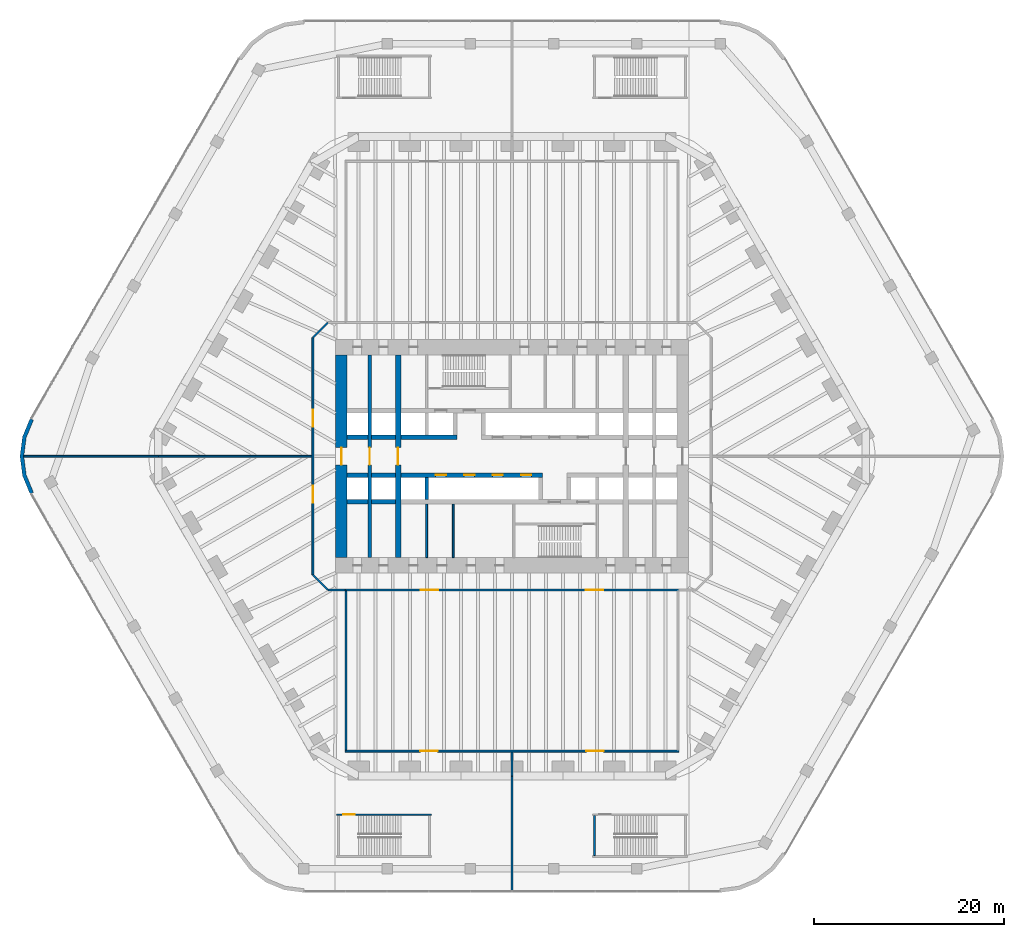
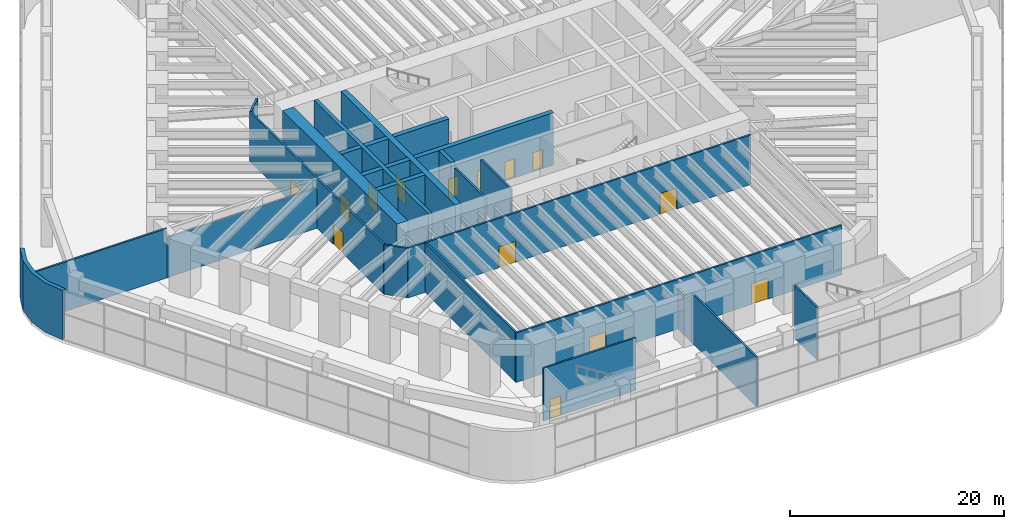
# One storey, part 26 of 31: 28 walls, 14 doors, 14 openings.
"""IFC4 building model written with IfcOpenShell, lengths in metres."""

from ifc_helpers import new_model, si_unit, direction, frame, frame_2d, origin, place, context, subcontext, project, spatial, polyline, rectangle, outline, extrude, material, layer, layer_set, type_object, element, fill, save


model = new_model("IFC4")

# Units and contexts
model_context = context("Model", 3, precision=1e-05, world=origin(), true_north=direction((0.0, 1.0)))
body_context = subcontext(model_context, "Body", "Model", "MODEL_VIEW")
ifc_project = project(units=[si_unit("LENGTHUNIT", "METRE"), si_unit("AREAUNIT", "SQUARE_METRE"), si_unit("VOLUMEUNIT", "CUBIC_METRE"), si_unit("PLANEANGLEUNIT", "RADIAN"), si_unit("MASSUNIT", "GRAM", prefix="KILO")], contexts=[model_context])

# Site, building, storey
site_placement = place(None, origin())
site = spatial("IfcSite", under=ifc_project, at=site_placement, CompositionType="ELEMENT")
building_placement = place(site_placement, origin())
building = spatial("IfcBuilding", under=site, at=building_placement, Name="Tarfa Lantern Tower", CompositionType="ELEMENT")
storey_placement = place(building_placement, frame((0.0, 0.0, 7.0)))
storey = spatial("IfcBuildingStorey", under=building, at=storey_placement, Name="L01", CompositionType="ELEMENT", Elevation=7.0)

# Walls
ifc_material_1 = material(Name="Limestone cladding on blockwork", Category="masonry")
ifc_layer_1 = layer(ifc_material_1, 0.39990234375)
ifc_layer_set_1 = layer_set([ifc_layer_1], Name="EW2 CURVED STONE CORNER 400")
wall_type_1 = type_object("IfcWallType", Name="EW2 CURVED STONE CORNER 400", PredefinedType="SOLIDWALL", material=ifc_layer_set_1)
wall_1_placement = place(storey_placement, origin())
element("IfcWall", 1, at=wall_1_placement, inside=storey, type_object=wall_type_1, Name="Stone corner NW-SW", PredefinedType="SOLIDWALL", context=body_context, shape_type="SweptSolid", body=[
    extrude(outline(polyline([(-50.806884765625, 4.0), (-51.60595703125, 2.070556640625), (-51.878662109375, 0.0), (-51.60595703125, -2.070556640625), (-50.806884765625, -4.0), (-50.46044921875, -3.800048828125), (-51.2197265625, -1.967041015625), (-51.478515625, 0.0), (-51.2197265625, 1.967041015625), (-50.46044921875, 3.800048828125), (-50.806884765625, 4.0)])), origin(), (0.0, 0.0, 1.0), 5.64990234375),
])
ifc_material_2 = material(Name="Concrete blockwork", Category="masonry")
ifc_layer_2 = layer(ifc_material_2, 0.199951171875)
ifc_layer_set_2 = layer_set([ifc_layer_2], Name="IW1 BLOCKWORK PARTITION 200 EI 120")
wall_type_2 = type_object("IfcWallType", Name="IW1 BLOCKWORK PARTITION 200 EI 120", PredefinedType="PARTITIONING", material=ifc_layer_set_2)
for number, where, z_axis, x_axis, name in (
    (2, (-9.0, -5.050048828125, 0.0), (0.0, 0.0, 1.0), (0.0, -1.0, 0.0), "Core partition"),
    (3, (-6.199951171875, -5.050048828125, 0.0), (0.0, 0.0, 1.0), (0.0, -1.0, 0.0), "Core partition"),
):
    element("IfcWall", number, at=place(storey_placement, frame(where, z_axis=z_axis, x_axis=x_axis)), inside=storey, type_object=wall_type_2, Name=name, PredefinedType="PARTITIONING", context=body_context, shape_type="SweptSolid", body=[
        extrude(rectangle(XDim=5.64990234375, YDim=0.199951171875, at=frame_2d((2.824951171875, 0.0))), origin(), (0.0, 0.0, 1.0), 5.64990234375),
    ])

# Wall, openings, doors
ifc_material_3 = material(Name="Gypsum board on steel studs", Category="steel")
ifc_layer_3 = layer(ifc_material_3, 0.2099609375)
ifc_layer_set_3 = layer_set([ifc_layer_3], Name="IW2 ACOUSTIC PARTITION 200")
wall_type_3 = type_object("IfcWallType", Name="IW2 ACOUSTIC PARTITION 200", PredefinedType="PARTITIONING", material=ifc_layer_set_3)
wall_2_placement = place(storey_placement, frame((17.60009765625, -14.10009765625, 0.0), z_axis=(0.0, 0.0, 1.0), x_axis=(-1.0, 0.0, 0.0)))
wall_2 = element("IfcWall", 4, at=wall_2_placement, inside=storey, type_object=wall_type_3, Name="Partition", PredefinedType="PARTITIONING", context=body_context, shape_type="SweptSolid", body=[
    extrude(rectangle(XDim=35.2001953125, YDim=0.199951171875, at=frame_2d((17.60009765625, 0.0))), origin(), (0.0, 0.0, 1.0), 5.64990234375),
])
opening_1_placement = place(wall_2_placement, frame((25.39990234375, 0.0, 0.0)))
opening_1 = element("IfcOpeningElement", 5, at=opening_1_placement, cuts=wall_2, Name="Opening D35", PredefinedType="OPENING", context=body_context, shape_type="SweptSolid", body=[
    extrude(rectangle(XDim=1.800048828125, YDim=2.39990234375, at=frame_2d((0.89990234375, 1.199951171875))), frame((0.0, 0.10986328125, 0.0), z_axis=(0.0, -1.0, 0.0), x_axis=(1.0, 0.0, 0.0)), (0.0, 0.0, 1.0), 0.219970703125),
])
opening_2_placement = place(wall_2_placement, frame((8.0, 0.0, 0.0)))
opening_2 = element("IfcOpeningElement", 6, at=opening_2_placement, cuts=wall_2, Name="Opening D36", PredefinedType="OPENING", context=body_context, shape_type="SweptSolid", body=[
    extrude(rectangle(XDim=1.800048828125, YDim=2.39990234375, at=frame_2d((0.89990234375, 1.199951171875))), frame((0.0, 0.10986328125, 0.0), z_axis=(0.0, -1.0, 0.0), x_axis=(1.0, 0.0, 0.0)), (0.0, 0.0, 1.0), 0.219970703125),
])
ifc_material_4 = material(Name="Timber door", Category="wood")
door_type_1 = type_object("IfcDoorType", Name="DR2 ROOM DOOR 1800x2400", OperationType="DOUBLE_DOOR_SINGLE_SWING", PredefinedType="DOOR", material=ifc_material_4)
door_1_placement = place(opening_1_placement, origin())
door_1 = element("IfcDoor", 7, at=door_1_placement, inside=storey, type_object=door_type_1, Name="Staff restaurant door", OperationType="DOUBLE_DOOR_SINGLE_SWING", OverallHeight=2.39990234375, OverallWidth=1.800048828125, PredefinedType="DOOR", context=body_context, shape_type="SweptSolid", body=[
    extrude(rectangle(XDim=1.800048828125, YDim=2.39990234375, at=frame_2d((0.89990234375, 1.199951171875))), frame((0.0, 0.02490234375, 0.0), z_axis=(0.0, -1.0, 0.0), x_axis=(1.0, 0.0, 0.0)), (0.0, 0.0, 1.0), 0.050048828125),
])
fill(opening_1, door_1)
door_2_placement = place(opening_2_placement, origin())
door_2 = element("IfcDoor", 8, at=door_2_placement, inside=storey, type_object=door_type_1, Name="Staff restaurant door", OperationType="DOUBLE_DOOR_SINGLE_SWING", OverallHeight=2.39990234375, OverallWidth=1.800048828125, PredefinedType="DOOR", context=body_context, shape_type="SweptSolid", body=[
    extrude(rectangle(XDim=1.800048828125, YDim=2.39990234375, at=frame_2d((0.89990234375, 1.199951171875))), frame((0.0, 0.02490234375, 0.0), z_axis=(0.0, -1.0, 0.0), x_axis=(1.0, 0.0, 0.0)), (0.0, 0.0, 1.0), 0.050048828125),
])
fill(opening_2, door_2)

# Wall
wall_3_placement = place(storey_placement, frame((-17.5, -14.199951171875, 0.0), z_axis=(0.0, 0.0, 1.0), x_axis=(0.0, -1.0, 0.0)))
element("IfcWall", 9, at=wall_3_placement, inside=storey, type_object=wall_type_3, Name="Partition", PredefinedType="PARTITIONING", context=body_context, shape_type="SweptSolid", body=[
    extrude(rectangle(XDim=16.800048828125, YDim=0.199951171875, at=frame_2d((8.39990234375, 0.0))), origin(), (0.0, 0.0, 1.0), 5.64990234375),
])

# Wall, openings, doors
wall_4_placement = place(storey_placement, frame((17.60009765625, -31.10009765625, 0.0), z_axis=(0.0, 0.0, 1.0), x_axis=(-1.0, 0.0, 0.0)))
wall_4 = element("IfcWall", 10, at=wall_4_placement, inside=storey, type_object=wall_type_3, Name="Partition", PredefinedType="PARTITIONING", context=body_context, shape_type="SweptSolid", body=[
    extrude(rectangle(XDim=35.2001953125, YDim=0.199951171875, at=frame_2d((17.60009765625, 0.0))), origin(), (0.0, 0.0, 1.0), 5.64990234375),
])
opening_3_placement = place(wall_4_placement, frame((7.949951171875, 0.0, 0.0)))
opening_3 = element("IfcOpeningElement", 11, at=opening_3_placement, cuts=wall_4, Name="Opening D39", PredefinedType="OPENING", context=body_context, shape_type="SweptSolid", body=[
    extrude(rectangle(XDim=1.800048828125, YDim=2.39990234375, at=frame_2d((0.89990234375, 1.199951171875))), frame((0.0, 0.10986328125, 0.0), z_axis=(0.0, -1.0, 0.0), x_axis=(1.0, 0.0, 0.0)), (0.0, 0.0, 1.0), 0.219970703125),
])
opening_4_placement = place(wall_4_placement, frame((25.449951171875, 0.0, 0.0)))
opening_4 = element("IfcOpeningElement", 12, at=opening_4_placement, cuts=wall_4, Name="Opening D40", PredefinedType="OPENING", context=body_context, shape_type="SweptSolid", body=[
    extrude(rectangle(XDim=1.800048828125, YDim=2.39990234375, at=frame_2d((0.89990234375, 1.199951171875))), frame((0.0, 0.10986328125, 0.0), z_axis=(0.0, -1.0, 0.0), x_axis=(1.0, 0.0, 0.0)), (0.0, 0.0, 1.0), 0.219970703125),
])
door_3_placement = place(opening_3_placement, frame((1.800048828125, 0.0, 0.0), z_axis=(0.0, 0.0, 1.0), x_axis=(-1.0, 0.0, 0.0)))
door_3 = element("IfcDoor", 13, at=door_3_placement, inside=storey, type_object=door_type_1, Name="Staff restaurant door", OperationType="DOUBLE_DOOR_SINGLE_SWING", OverallHeight=2.39990234375, OverallWidth=1.800048828125, PredefinedType="DOOR", context=body_context, shape_type="SweptSolid", body=[
    extrude(rectangle(XDim=1.800048828125, YDim=2.39990234375, at=frame_2d((0.89990234375, 1.199951171875))), frame((0.0, 0.02490234375, 0.0), z_axis=(0.0, -1.0, 0.0), x_axis=(1.0, 0.0, 0.0)), (0.0, 0.0, 1.0), 0.050048828125),
])
fill(opening_3, door_3)
door_4_placement = place(opening_4_placement, frame((1.800048828125, 0.0, 0.0), z_axis=(0.0, 0.0, 1.0), x_axis=(-1.0, 0.0, 0.0)))
door_4 = element("IfcDoor", 14, at=door_4_placement, inside=storey, type_object=door_type_1, Name="Staff restaurant door", OperationType="DOUBLE_DOOR_SINGLE_SWING", OverallHeight=2.39990234375, OverallWidth=1.800048828125, PredefinedType="DOOR", context=body_context, shape_type="SweptSolid", body=[
    extrude(rectangle(XDim=1.800048828125, YDim=2.39990234375, at=frame_2d((0.89990234375, 1.199951171875))), frame((0.0, 0.02490234375, 0.0), z_axis=(0.0, -1.0, 0.0), x_axis=(1.0, 0.0, 0.0)), (0.0, 0.0, 1.0), 0.050048828125),
])
fill(opening_4, door_4)

# Walls
wall_5_placement = place(storey_placement, frame((-17.60009765625, -14.10009765625, 0.0), z_axis=(0.0, 0.0, 1.0), x_axis=(-1.0, 0.0, 0.0)))
element("IfcWall", 15, at=wall_5_placement, inside=storey, type_object=wall_type_3, Name="Partition", PredefinedType="PARTITIONING", context=body_context, shape_type="SweptSolid", body=[
    extrude(rectangle(XDim=1.7998046875, YDim=0.199951171875, at=frame_2d((0.89990234375, 0.0))), origin(), (0.0, 0.0, 1.0), 5.64990234375),
])
wall_6_placement = place(storey_placement, frame((-19.39990234375, -14.10009765625, 0.0), z_axis=(0.0, 0.0, 1.0), x_axis=(-0.707106781187, 0.707106781187, 0.0)))
element("IfcWall", 16, at=wall_6_placement, inside=storey, type_object=wall_type_3, Name="Partition", PredefinedType="PARTITIONING", context=body_context, shape_type="SweptSolid", body=[
    extrude(rectangle(XDim=2.262939453125, YDim=0.199951171875, at=frame_2d((1.13134765625, 0.0))), origin(), (0.0, 0.0, 1.0), 5.64990234375),
])

# Wall, openings, doors
wall_7_placement = place(storey_placement, frame((-21.0, -12.5, 0.0), z_axis=(0.0, 0.0, 1.0), x_axis=(0.0, 1.0, 0.0)))
wall_7 = element("IfcWall", 17, at=wall_7_placement, inside=storey, type_object=wall_type_3, Name="Partition", PredefinedType="PARTITIONING", context=body_context, shape_type="SweptSolid", body=[
    extrude(rectangle(XDim=25.0, YDim=0.199951171875, at=frame_2d((12.5, 0.0))), origin(), (0.0, 0.0, 1.0), 5.64990234375),
])
opening_5_placement = place(wall_7_placement, frame((15.60009765625, 0.0, 0.0)))
opening_5 = element("IfcOpeningElement", 18, at=opening_5_placement, cuts=wall_7, Name="Opening D42", PredefinedType="OPENING", context=body_context, shape_type="SweptSolid", body=[
    extrude(rectangle(XDim=1.800048828125, YDim=2.39990234375, at=frame_2d((0.89990234375, 1.199951171875))), frame((0.0, 0.10986328125, 0.0), z_axis=(0.0, -1.0, 0.0), x_axis=(1.0, 0.0, 0.0)), (0.0, 0.0, 1.0), 0.219970703125),
])
opening_6_placement = place(wall_7_placement, frame((7.60009765625, 0.0, 0.0)))
opening_6 = element("IfcOpeningElement", 19, at=opening_6_placement, cuts=wall_7, Name="Opening D44", PredefinedType="OPENING", context=body_context, shape_type="SweptSolid", body=[
    extrude(rectangle(XDim=1.800048828125, YDim=2.39990234375, at=frame_2d((0.89990234375, 1.199951171875))), frame((0.0, 0.10986328125, 0.0), z_axis=(0.0, -1.0, 0.0), x_axis=(1.0, 0.0, 0.0)), (0.0, 0.0, 1.0), 0.219970703125),
])
door_5_placement = place(opening_5_placement, origin())
door_5 = element("IfcDoor", 20, at=door_5_placement, inside=storey, type_object=door_type_1, Name="Staff services workplace door", OperationType="DOUBLE_DOOR_SINGLE_SWING", OverallHeight=2.39990234375, OverallWidth=1.800048828125, PredefinedType="DOOR", context=body_context, shape_type="SweptSolid", body=[
    extrude(rectangle(XDim=1.800048828125, YDim=2.39990234375, at=frame_2d((0.89990234375, 1.199951171875))), frame((0.0, 0.02490234375, 0.0), z_axis=(0.0, -1.0, 0.0), x_axis=(1.0, 0.0, 0.0)), (0.0, 0.0, 1.0), 0.050048828125),
])
fill(opening_5, door_5)
door_6_placement = place(opening_6_placement, origin())
door_6 = element("IfcDoor", 21, at=door_6_placement, inside=storey, type_object=door_type_1, Name="Staff services workplace door", OperationType="DOUBLE_DOOR_SINGLE_SWING", OverallHeight=2.39990234375, OverallWidth=1.800048828125, PredefinedType="DOOR", context=body_context, shape_type="SweptSolid", body=[
    extrude(rectangle(XDim=1.800048828125, YDim=2.39990234375, at=frame_2d((0.89990234375, 1.199951171875))), frame((0.0, 0.02490234375, 0.0), z_axis=(0.0, -1.0, 0.0), x_axis=(1.0, 0.0, 0.0)), (0.0, 0.0, 1.0), 0.050048828125),
])
fill(opening_6, door_6)

# Walls
wall_8_placement = place(storey_placement, frame((-21.0, 12.5, 0.0), z_axis=(0.0, 0.0, 1.0), x_axis=(0.707106781187, 0.707106781187, 0.0)))
element("IfcWall", 22, at=wall_8_placement, inside=storey, type_object=wall_type_3, Name="Partition", PredefinedType="PARTITIONING", context=body_context, shape_type="SweptSolid", body=[
    extrude(rectangle(XDim=2.262939453125, YDim=0.199951171875, at=frame_2d((1.13134765625, 0.0))), origin(), (0.0, 0.0, 1.0), 5.64990234375),
])
wall_9_placement = place(storey_placement, frame((0.0, -31.199951171875, 0.0), z_axis=(0.0, 0.0, 1.0), x_axis=(0.0, -1.0, 0.0)))
element("IfcWall", 23, at=wall_9_placement, inside=storey, type_object=wall_type_3, Name="Partition", PredefinedType="PARTITIONING", context=body_context, shape_type="SweptSolid", body=[
    extrude(rectangle(XDim=2.52001953125, YDim=0.199951171875, at=frame_2d((1.260009765625, 0.0))), origin(), (0.0, 0.0, 1.0), 4.593994140625),
])
wall_10_placement = place(storey_placement, frame((0.0, -33.719970703125, 0.0), z_axis=(0.0, 0.0, 1.0), x_axis=(0.0, -1.0, 0.0)))
element("IfcWall", 24, at=wall_10_placement, inside=storey, type_object=wall_type_3, Name="Partition", PredefinedType="PARTITIONING", context=body_context, shape_type="SweptSolid", body=[
    extrude(rectangle(XDim=12.090087890625, YDim=0.199951171875, at=frame_2d((6.044921875, 0.0))), origin(), (0.0, 0.0, 1.0), 5.64990234375),
])
wall_11_placement = place(storey_placement, frame((-21.10009765625, 0.0, 0.0), z_axis=(0.0, 0.0, 1.0), x_axis=(-1.0, 0.0, 0.0)))
element("IfcWall", 25, at=wall_11_placement, inside=storey, type_object=wall_type_3, Name="Partition", PredefinedType="PARTITIONING", context=body_context, shape_type="SweptSolid", body=[
    extrude(rectangle(XDim=16.185302734375, YDim=0.199951171875, at=frame_2d((8.0927734375, 0.0))), origin(), (0.0, 0.0, 1.0), 4.593994140625),
])
wall_12_placement = place(storey_placement, frame((-37.285400390625, 0.0, 0.0), z_axis=(0.0, 0.0, 1.0), x_axis=(-1.0, 0.0, 0.0)))
element("IfcWall", 26, at=wall_12_placement, inside=storey, type_object=wall_type_3, Name="Partition", PredefinedType="PARTITIONING", context=body_context, shape_type="SweptSolid", body=[
    extrude(rectangle(XDim=14.18017578125, YDim=0.199951171875, at=frame_2d((7.090087890625, 0.0))), origin(), (0.0, 0.0, 1.0), 5.64990234375),
])

# Wall, opening, door
ifc_material_5 = material(Name="Concrete C80/95", Category="concrete")
ifc_layer_4 = layer(ifc_material_5, 1.199951171875)
ifc_layer_set_4 = layer_set([ifc_layer_4], Name="SW1 CORE WALL 1200")
wall_type_4 = type_object("IfcWallType", Name="SW1 CORE WALL 1200", PredefinedType="SHEAR", material=ifc_layer_set_4)
wall_13_placement = place(storey_placement, frame((-18.0, 10.699951171875, 0.0), z_axis=(0.0, 0.0, 1.0), x_axis=(0.0, -1.0, 0.0)))
wall_13 = element("IfcWall", 27, at=wall_13_placement, inside=storey, type_object=wall_type_4, Name="Core wall W", PredefinedType="SHEAR", context=body_context, shape_type="SweptSolid", body=[
    extrude(rectangle(XDim=21.39990234375, YDim=1.199951171875, at=frame_2d((10.699951171875, 0.0))), origin(), (0.0, 0.0, 1.0), 6.0),
])
opening_7_placement = place(wall_13_placement, frame((9.800048828125, 0.0, 0.0)))
opening_7 = element("IfcOpeningElement", 28, at=opening_7_placement, cuts=wall_13, Name="Opening D16", PredefinedType="OPENING", context=body_context, shape_type="SweptSolid", body=[
    extrude(rectangle(XDim=1.800048828125, YDim=2.39990234375, at=frame_2d((0.89990234375, 1.199951171875))), frame((0.0, 0.60986328125, 0.0), z_axis=(0.0, -1.0, 0.0), x_axis=(1.0, 0.0, 0.0)), (0.0, 0.0, 1.0), 1.219970703125),
])
ifc_material_6 = material(Name="Steel fire door", Category="steel")
door_type_2 = type_object("IfcDoorType", Name="DL1 LOBBY DOOR 1800x2400", OperationType="DOUBLE_DOOR_SINGLE_SWING", PredefinedType="DOOR", material=ifc_material_6)
door_7_placement = place(opening_7_placement, frame((1.800048828125, 0.0, 0.0), z_axis=(0.0, 0.0, 1.0), x_axis=(-1.0, 0.0, 0.0)))
door_7 = element("IfcDoor", 29, at=door_7_placement, inside=storey, type_object=door_type_2, Name="Lift lobby door", OperationType="DOUBLE_DOOR_SINGLE_SWING", OverallHeight=2.39990234375, OverallWidth=1.800048828125, PredefinedType="DOOR", context=body_context, shape_type="SweptSolid", body=[
    extrude(rectangle(XDim=1.800048828125, YDim=2.39990234375, at=frame_2d((0.89990234375, 1.199951171875))), frame((0.0, 0.02490234375, 0.0), z_axis=(0.0, -1.0, 0.0), x_axis=(1.0, 0.0, 0.0)), (0.0, 0.0, 1.0), 0.050048828125),
])
fill(opening_7, door_7)

ifc_layer_5 = layer(ifc_material_5, 0.199951171875)
ifc_layer_set_5 = layer_set([ifc_layer_5], Name="SW12 CORE WALL 200")
wall_type_5 = type_object("IfcWallType", Name="SW12 CORE WALL 200", PredefinedType="SHEAR", material=ifc_layer_set_5)
wall_14_placement = place(storey_placement, frame((-8.5, -37.800048828125, 0.0), z_axis=(0.0, 0.0, 1.0), x_axis=(-1.0, 0.0, 0.0)))
wall_14 = element("IfcWall", 30, at=wall_14_placement, inside=storey, type_object=wall_type_5, Name="Stair ST5 shaft wall", PredefinedType="SHEAR", context=body_context, shape_type="SweptSolid", body=[
    extrude(rectangle(XDim=10.0, YDim=0.199951171875, at=frame_2d((5.0, 0.0))), origin(), (0.0, 0.0, 1.0), 6.0),
])
opening_8_placement = place(wall_14_placement, frame((8.10009765625, 0.0, 0.0)))
opening_8 = element("IfcOpeningElement", 31, at=opening_8_placement, cuts=wall_14, Name="Opening D31", PredefinedType="OPENING", context=body_context, shape_type="SweptSolid", body=[
    extrude(rectangle(XDim=1.199951171875, YDim=2.199951171875, at=frame_2d((0.60009765625, 1.10009765625))), frame((0.0, 0.10986328125, 0.0), z_axis=(0.0, -1.0, 0.0), x_axis=(1.0, 0.0, 0.0)), (0.0, 0.0, 1.0), 0.219970703125),
])
door_type_3 = type_object("IfcDoorType", Name="DF9 STAIR DOOR 1200x2200", OperationType="SINGLE_SWING_LEFT", PredefinedType="DOOR", material=ifc_material_6)
door_8_placement = place(opening_8_placement, frame((1.199951171875, 0.0, 0.0), z_axis=(0.0, 0.0, 1.0), x_axis=(-1.0, 0.0, 0.0)))
door_8 = element("IfcDoor", 32, at=door_8_placement, inside=storey, type_object=door_type_3, Name="Stair door", OperationType="SINGLE_SWING_RIGHT", OverallHeight=2.199951171875, OverallWidth=1.199951171875, PredefinedType="DOOR", context=body_context, shape_type="SweptSolid", body=[
    extrude(rectangle(XDim=1.199951171875, YDim=2.199951171875, at=frame_2d((0.60009765625, 1.10009765625))), frame((0.0, 0.02490234375, 0.0), z_axis=(0.0, -1.0, 0.0), x_axis=(1.0, 0.0, 0.0)), (0.0, 0.0, 1.0), 0.050048828125),
])
fill(opening_8, door_8)

# Walls
wall_15_placement = place(storey_placement, frame((8.699951171875, -37.89990234375, 0.0), z_axis=(0.0, 0.0, 1.0), x_axis=(0.0, -1.0, 0.0)))
element("IfcWall", 33, at=wall_15_placement, inside=storey, type_object=wall_type_5, Name="Stair ST6 shaft wall", PredefinedType="SHEAR", context=body_context, shape_type="SweptSolid", body=[
    extrude(rectangle(XDim=4.2001953125, YDim=0.199951171875, at=frame_2d((2.10009765625, 0.0))), origin(), (0.0, 0.0, 1.0), 6.0),
])
ifc_layer_6 = layer(ifc_material_5, 0.5)
ifc_layer_set_6 = layer_set([ifc_layer_6], Name="SW5 CORE WALL 500")
wall_type_6 = type_object("IfcWallType", Name="SW5 CORE WALL 500", PredefinedType="SHEAR", material=ifc_layer_set_6)
wall_16_placement = place(storey_placement, frame((-17.39990234375, 2.0, 0.0), z_axis=(0.0, 0.0, 1.0), x_axis=(1.0, 0.0, 0.0)))
element("IfcWall", 34, at=wall_16_placement, inside=storey, type_object=wall_type_6, Name="Core wall lobby west N", PredefinedType="SHEAR", context=body_context, shape_type="SweptSolid", body=[
    extrude(rectangle(XDim=2.199951171875, YDim=0.5, at=frame_2d((1.10009765625, 0.0))), origin(), (0.0, 0.0, 1.0), 6.0),
])
wall_17_placement = place(storey_placement, frame((-14.800048828125, 2.0, 0.0), z_axis=(0.0, 0.0, 1.0), x_axis=(1.0, 0.0, 0.0)))
element("IfcWall", 35, at=wall_17_placement, inside=storey, type_object=wall_type_6, Name="Core wall lobby west N", PredefinedType="SHEAR", context=body_context, shape_type="SweptSolid", body=[
    extrude(rectangle(XDim=2.5, YDim=0.5, at=frame_2d((1.25, 0.0))), origin(), (0.0, 0.0, 1.0), 6.0),
])
wall_18_placement = place(storey_placement, frame((-11.699951171875, 2.0, 0.0), z_axis=(0.0, 0.0, 1.0), x_axis=(1.0, 0.0, 0.0)))
element("IfcWall", 36, at=wall_18_placement, inside=storey, type_object=wall_type_6, Name="Core wall lobby west N", PredefinedType="SHEAR", context=body_context, shape_type="SweptSolid", body=[
    extrude(rectangle(XDim=5.89990234375, YDim=0.5, at=frame_2d((2.949951171875, 0.0))), origin(), (0.0, 0.0, 1.0), 6.0),
])

# Wall, openings, doors
wall_19_placement = place(storey_placement, frame((3.199951171875, -2.0, 0.0), z_axis=(0.0, 0.0, 1.0), x_axis=(-1.0, 0.0, 0.0)))
wall_19 = element("IfcWall", 37, at=wall_19_placement, inside=storey, type_object=wall_type_6, Name="Core wall lobby east S", PredefinedType="SHEAR", context=body_context, shape_type="SweptSolid", body=[
    extrude(rectangle(XDim=14.89990234375, YDim=0.5, at=frame_2d((7.449951171875, 0.0))), origin(), (0.0, 0.0, 1.0), 6.0),
])
opening_9_placement = place(wall_19_placement, frame((1.14990234375, 0.0, 0.0)))
opening_9 = element("IfcOpeningElement", 38, at=opening_9_placement, cuts=wall_19, Name="Opening LD07", PredefinedType="OPENING", context=body_context, shape_type="SweptSolid", body=[
    extrude(rectangle(XDim=1.10009765625, YDim=2.199951171875, at=frame_2d((0.550048828125, 1.10009765625))), frame((0.0, 0.260009765625, 0.0), z_axis=(0.0, -1.0, 0.0), x_axis=(1.0, 0.0, 0.0)), (0.0, 0.0, 1.0), 0.52001953125),
])
opening_10_placement = place(wall_19_placement, frame((4.14990234375, 0.0, 0.0)))
opening_10 = element("IfcOpeningElement", 39, at=opening_10_placement, cuts=wall_19, Name="Opening LD08", PredefinedType="OPENING", context=body_context, shape_type="SweptSolid", body=[
    extrude(rectangle(XDim=1.10009765625, YDim=2.199951171875, at=frame_2d((0.550048828125, 1.10009765625))), frame((0.0, 0.260009765625, 0.0), z_axis=(0.0, -1.0, 0.0), x_axis=(1.0, 0.0, 0.0)), (0.0, 0.0, 1.0), 0.52001953125),
])
opening_11_placement = place(wall_19_placement, frame((7.14990234375, 0.0, 0.0)))
opening_11 = element("IfcOpeningElement", 40, at=opening_11_placement, cuts=wall_19, Name="Opening LD09", PredefinedType="OPENING", context=body_context, shape_type="SweptSolid", body=[
    extrude(rectangle(XDim=1.10009765625, YDim=2.199951171875, at=frame_2d((0.550048828125, 1.10009765625))), frame((0.0, 0.260009765625, 0.0), z_axis=(0.0, -1.0, 0.0), x_axis=(1.0, 0.0, 0.0)), (0.0, 0.0, 1.0), 0.52001953125),
])
opening_12_placement = place(wall_19_placement, frame((10.14990234375, 0.0, 0.0)))
opening_12 = element("IfcOpeningElement", 41, at=opening_12_placement, cuts=wall_19, Name="Opening LD10", PredefinedType="OPENING", context=body_context, shape_type="SweptSolid", body=[
    extrude(rectangle(XDim=1.10009765625, YDim=2.199951171875, at=frame_2d((0.550048828125, 1.10009765625))), frame((0.0, 0.260009765625, 0.0), z_axis=(0.0, -1.0, 0.0), x_axis=(1.0, 0.0, 0.0)), (0.0, 0.0, 1.0), 0.52001953125),
])
ifc_material_7 = material(Name="Stainless steel lift door", Category="steel")
door_type_4 = type_object("IfcDoorType", Name="LD2 LIFT LANDING DOOR 1100x2200", OperationType="SLIDING_TO_LEFT", PredefinedType="DOOR", material=ifc_material_7)
door_9_placement = place(opening_9_placement, frame((1.10009765625, 0.0, 0.0), z_axis=(0.0, 0.0, 1.0), x_axis=(-1.0, 0.0, 0.0)))
door_9 = element("IfcDoor", 42, at=door_9_placement, inside=storey, type_object=door_type_4, Name="Landing door PA5", OperationType="SLIDING_TO_LEFT", OverallHeight=2.199951171875, OverallWidth=1.10009765625, PredefinedType="DOOR", context=body_context, shape_type="SweptSolid", body=[
    extrude(rectangle(XDim=1.10009765625, YDim=2.199951171875, at=frame_2d((0.550048828125, 1.10009765625))), frame((0.0, 0.02490234375, 0.0), z_axis=(0.0, -1.0, 0.0), x_axis=(1.0, 0.0, 0.0)), (0.0, 0.0, 1.0), 0.050048828125),
])
fill(opening_9, door_9)
door_10_placement = place(opening_10_placement, frame((1.10009765625, 0.0, 0.0), z_axis=(0.0, 0.0, 1.0), x_axis=(-1.0, 0.0, 0.0)))
door_10 = element("IfcDoor", 43, at=door_10_placement, inside=storey, type_object=door_type_4, Name="Landing door PA6", OperationType="SLIDING_TO_LEFT", OverallHeight=2.199951171875, OverallWidth=1.10009765625, PredefinedType="DOOR", context=body_context, shape_type="SweptSolid", body=[
    extrude(rectangle(XDim=1.10009765625, YDim=2.199951171875, at=frame_2d((0.550048828125, 1.10009765625))), frame((0.0, 0.02490234375, 0.0), z_axis=(0.0, -1.0, 0.0), x_axis=(1.0, 0.0, 0.0)), (0.0, 0.0, 1.0), 0.050048828125),
])
fill(opening_10, door_10)
door_11_placement = place(opening_11_placement, frame((1.10009765625, 0.0, 0.0), z_axis=(0.0, 0.0, 1.0), x_axis=(-1.0, 0.0, 0.0)))
door_11 = element("IfcDoor", 44, at=door_11_placement, inside=storey, type_object=door_type_4, Name="Landing door PA7", OperationType="SLIDING_TO_LEFT", OverallHeight=2.199951171875, OverallWidth=1.10009765625, PredefinedType="DOOR", context=body_context, shape_type="SweptSolid", body=[
    extrude(rectangle(XDim=1.10009765625, YDim=2.199951171875, at=frame_2d((0.550048828125, 1.10009765625))), frame((0.0, 0.02490234375, 0.0), z_axis=(0.0, -1.0, 0.0), x_axis=(1.0, 0.0, 0.0)), (0.0, 0.0, 1.0), 0.050048828125),
])
fill(opening_11, door_11)
door_12_placement = place(opening_12_placement, frame((1.10009765625, 0.0, 0.0), z_axis=(0.0, 0.0, 1.0), x_axis=(-1.0, 0.0, 0.0)))
door_12 = element("IfcDoor", 45, at=door_12_placement, inside=storey, type_object=door_type_4, Name="Landing door PA8", OperationType="SLIDING_TO_LEFT", OverallHeight=2.199951171875, OverallWidth=1.10009765625, PredefinedType="DOOR", context=body_context, shape_type="SweptSolid", body=[
    extrude(rectangle(XDim=1.10009765625, YDim=2.199951171875, at=frame_2d((0.550048828125, 1.10009765625))), frame((0.0, 0.02490234375, 0.0), z_axis=(0.0, -1.0, 0.0), x_axis=(1.0, 0.0, 0.0)), (0.0, 0.0, 1.0), 0.050048828125),
])
fill(opening_12, door_12)

# Walls
wall_20_placement = place(storey_placement, frame((-12.300048828125, -2.0, 0.0), z_axis=(0.0, 0.0, 1.0), x_axis=(-1.0, 0.0, 0.0)))
element("IfcWall", 46, at=wall_20_placement, inside=storey, type_object=wall_type_6, Name="Core wall lobby east S", PredefinedType="SHEAR", context=body_context, shape_type="SweptSolid", body=[
    extrude(rectangle(XDim=2.5, YDim=0.5, at=frame_2d((1.25, 0.0))), origin(), (0.0, 0.0, 1.0), 6.0),
])
wall_21_placement = place(storey_placement, frame((-15.199951171875, -2.0, 0.0), z_axis=(0.0, 0.0, 1.0), x_axis=(-1.0, 0.0, 0.0)))
element("IfcWall", 47, at=wall_21_placement, inside=storey, type_object=wall_type_6, Name="Core wall lobby east S", PredefinedType="SHEAR", context=body_context, shape_type="SweptSolid", body=[
    extrude(rectangle(XDim=2.199951171875, YDim=0.5, at=frame_2d((1.10009765625, 0.0))), origin(), (0.0, 0.0, 1.0), 6.0),
])
wall_22_placement = place(storey_placement, frame((-12.300048828125, -4.800048828125, 0.0), z_axis=(0.0, 0.0, 1.0), x_axis=(-1.0, 0.0, 0.0)))
element("IfcWall", 48, at=wall_22_placement, inside=storey, type_object=wall_type_6, Name="Core wall rear S", PredefinedType="SHEAR", context=body_context, shape_type="SweptSolid", body=[
    extrude(rectangle(XDim=2.5, YDim=0.5, at=frame_2d((1.25, 0.0))), origin(), (0.0, 0.0, 1.0), 6.0),
])
wall_23_placement = place(storey_placement, frame((-15.199951171875, -4.800048828125, 0.0), z_axis=(0.0, 0.0, 1.0), x_axis=(-1.0, 0.0, 0.0)))
element("IfcWall", 49, at=wall_23_placement, inside=storey, type_object=wall_type_6, Name="Core wall rear S", PredefinedType="SHEAR", context=body_context, shape_type="SweptSolid", body=[
    extrude(rectangle(XDim=2.199951171875, YDim=0.5, at=frame_2d((1.10009765625, 0.0))), origin(), (0.0, 0.0, 1.0), 6.0),
])

# Wall, opening, door
ifc_layer_7 = layer(ifc_material_5, 0.39990234375)
ifc_layer_set_7 = layer_set([ifc_layer_7], Name="SW6 CORE WALL 400")
wall_type_7 = type_object("IfcWallType", Name="SW6 CORE WALL 400", PredefinedType="SHEAR", material=ifc_layer_set_7)
wall_24_placement = place(storey_placement, frame((-15.0, -10.699951171875, 0.0), z_axis=(0.0, 0.0, 1.0), x_axis=(0.0, 1.0, 0.0)))
wall_24 = element("IfcWall", 50, at=wall_24_placement, inside=storey, type_object=wall_type_7, Name="Core wall cross 15 m west", PredefinedType="SHEAR", context=body_context, shape_type="SweptSolid", body=[
    extrude(rectangle(XDim=21.39990234375, YDim=0.39990234375, at=frame_2d((10.699951171875, 0.0))), origin(), (0.0, 0.0, 1.0), 6.0),
])
opening_13_placement = place(wall_24_placement, frame((9.800048828125, 0.0, 0.0)))
opening_13 = element("IfcOpeningElement", 51, at=opening_13_placement, cuts=wall_24, Name="Opening D28", PredefinedType="OPENING", context=body_context, shape_type="SweptSolid", body=[
    extrude(rectangle(XDim=1.800048828125, YDim=2.39990234375, at=frame_2d((0.89990234375, 1.199951171875))), frame((0.0, 0.2099609375, 0.0), z_axis=(0.0, -1.0, 0.0), x_axis=(1.0, 0.0, 0.0)), (0.0, 0.0, 1.0), 0.419921875),
])
door_13_placement = place(opening_13_placement, origin())
door_13 = element("IfcDoor", 52, at=door_13_placement, inside=storey, type_object=door_type_2, Name="Lift lobby door", OperationType="DOUBLE_DOOR_SINGLE_SWING", OverallHeight=2.39990234375, OverallWidth=1.800048828125, PredefinedType="DOOR", context=body_context, shape_type="SweptSolid", body=[
    extrude(rectangle(XDim=1.800048828125, YDim=2.39990234375, at=frame_2d((0.89990234375, 1.199951171875))), frame((0.0, 0.02490234375, 0.0), z_axis=(0.0, -1.0, 0.0), x_axis=(1.0, 0.0, 0.0)), (0.0, 0.0, 1.0), 0.050048828125),
])
fill(opening_13, door_13)

# Wall
wall_25_placement = place(storey_placement, frame((-9.0, -2.25, 0.0), z_axis=(0.0, 0.0, 1.0), x_axis=(0.0, -1.0, 0.0)))
element("IfcWall", 53, at=wall_25_placement, inside=storey, type_object=wall_type_7, Name="Core wall divider S", PredefinedType="SHEAR", context=body_context, shape_type="SweptSolid", body=[
    extrude(rectangle(XDim=2.300048828125, YDim=0.39990234375, at=frame_2d((1.14990234375, 0.0))), origin(), (0.0, 0.0, 1.0), 6.0),
])

# Wall, opening, door
ifc_layer_8 = layer(ifc_material_5, 0.60009765625)
ifc_layer_set_8 = layer_set([ifc_layer_8], Name="SW9 CORE WALL 600")
wall_type_8 = type_object("IfcWallType", Name="SW9 CORE WALL 600", PredefinedType="SHEAR", material=ifc_layer_set_8)
wall_26_placement = place(storey_placement, frame((-12.0, -10.699951171875, 0.0), z_axis=(0.0, 0.0, 1.0), x_axis=(0.0, 1.0, 0.0)))
wall_26 = element("IfcWall", 54, at=wall_26_placement, inside=storey, type_object=wall_type_8, Name="Core wall cross 12 m west", PredefinedType="SHEAR", context=body_context, shape_type="SweptSolid", body=[
    extrude(rectangle(XDim=21.39990234375, YDim=0.60009765625, at=frame_2d((10.699951171875, 0.0))), origin(), (0.0, 0.0, 1.0), 6.0),
])
opening_14_placement = place(wall_26_placement, frame((9.800048828125, 0.0, 0.0)))
opening_14 = element("IfcOpeningElement", 55, at=opening_14_placement, cuts=wall_26, Name="Opening D27", PredefinedType="OPENING", context=body_context, shape_type="SweptSolid", body=[
    extrude(rectangle(XDim=1.800048828125, YDim=2.39990234375, at=frame_2d((0.89990234375, 1.199951171875))), frame((0.0, 0.31005859375, 0.0), z_axis=(0.0, -1.0, 0.0), x_axis=(1.0, 0.0, 0.0)), (0.0, 0.0, 1.0), 0.6201171875),
])
door_14_placement = place(opening_14_placement, origin())
door_14 = element("IfcDoor", 56, at=door_14_placement, inside=storey, type_object=door_type_2, Name="Lift lobby door", OperationType="DOUBLE_DOOR_SINGLE_SWING", OverallHeight=2.39990234375, OverallWidth=1.800048828125, PredefinedType="DOOR", context=body_context, shape_type="SweptSolid", body=[
    extrude(rectangle(XDim=1.800048828125, YDim=2.39990234375, at=frame_2d((0.89990234375, 1.199951171875))), frame((0.0, 0.02490234375, 0.0), z_axis=(0.0, -1.0, 0.0), x_axis=(1.0, 0.0, 0.0)), (0.0, 0.0, 1.0), 0.050048828125),
])
fill(opening_14, door_14)

save(model, "model.ifc")
